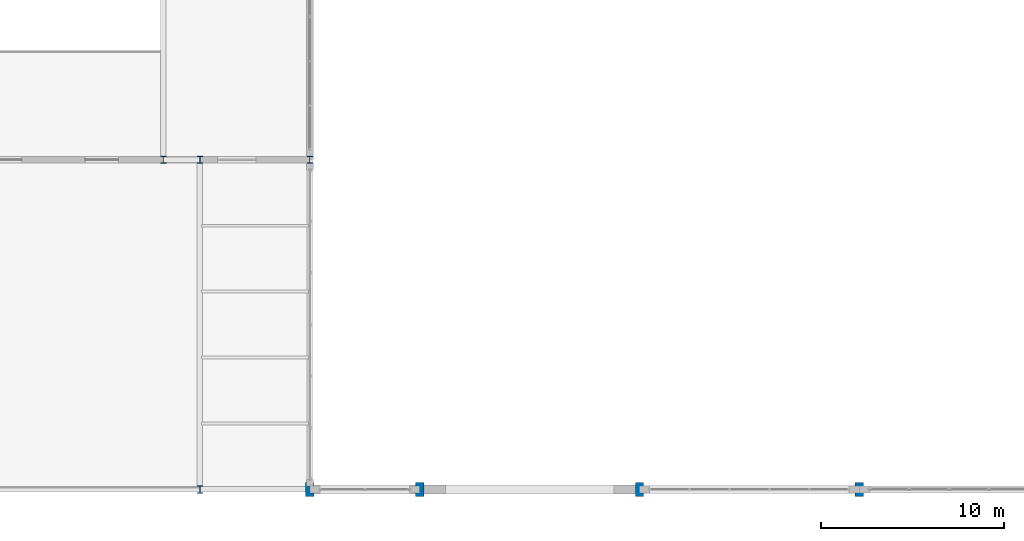
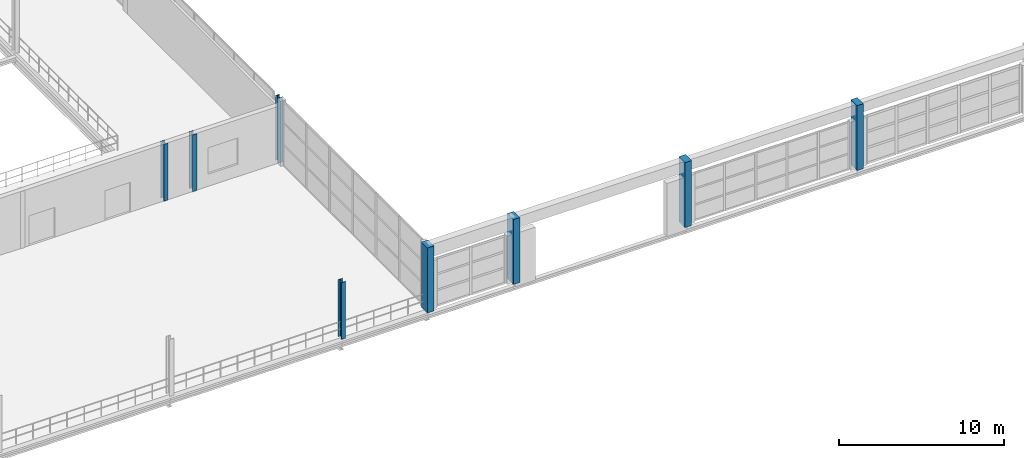
# One storey, part 4 of 147: 8 columns.
"""IFC4 building model written with IfcOpenShell, lengths in metres."""

from ifc_helpers import new_model, si_unit, direction, frame, origin, origin_2d, place, context, subcontext, project, spatial, rectangle, i_section, extrude, material, material_profile, profile_set, type_object, element, save


model = new_model("IFC4")

# Units and contexts
model_context = context("Model", 3, precision=1e-05, world=origin(), true_north=direction((0.0, 1.0)))
body_context = subcontext(model_context, "Body", "Model", "MODEL_VIEW")
ifc_project = project(units=[si_unit("LENGTHUNIT", "METRE"), si_unit("AREAUNIT", "SQUARE_METRE"), si_unit("VOLUMEUNIT", "CUBIC_METRE"), si_unit("PLANEANGLEUNIT", "RADIAN"), si_unit("MASSUNIT", "GRAM", prefix="KILO")], contexts=[model_context])

# Site, building, storey
site_placement = place(None, origin())
site = spatial("IfcSite", under=ifc_project, at=site_placement, CompositionType="ELEMENT")
building_placement = place(site_placement, origin())
building = spatial("IfcBuilding", under=site, at=building_placement, Name="Zilviju Railside Exhibition Hall", CompositionType="ELEMENT")
storey_placement = place(building_placement, frame((0.0, 0.0, 8.39990234375)))
storey = spatial("IfcBuildingStorey", under=building, at=storey_placement, Name="L03", CompositionType="ELEMENT", Elevation=8.39990234375)

# Columns
ifc_material_1 = material(Name="Steel S355J2", Category="steel")
ifc_material_profile_1 = material_profile(ifc_material_1, i_section(OverallWidth=0.300048828125, OverallDepth=0.360107421875, WebThickness=0.012451171875, FlangeThickness=0.0224609375, at=origin_2d()), Name="HEB 360")
ifc_profile_set_1 = profile_set([ifc_material_profile_1], Name="Steel S355J2")
column_type_1 = type_object("IfcColumnType", Name="COL-ST-HEB360", PredefinedType="COLUMN", material=ifc_profile_set_1)
column_placement = place(storey_placement, frame((78.0, 18.0, 0.0), z_axis=(0.0, 0.0, 1.0), x_axis=(1.0, 0.0, 0.0)))
element("IfcColumn", 1, at=column_placement, inside=storey, type_object=column_type_1, Name="Structural Column L03 (78.0, 18.0)", PredefinedType="COLUMN", context=body_context, shape_type="SweptSolid", body=[
    extrude(i_section(OverallWidth=0.300048828125, OverallDepth=0.360107421875, WebThickness=0.012451171875, FlangeThickness=0.0224609375, at=origin_2d()), origin(), (0.0, 0.0, 1.0), 4.800048828125),
])
ifc_material_profile_2 = material_profile(ifc_material_1, i_section(OverallWidth=0.300048828125, OverallDepth=0.39990234375, WebThickness=0.013427734375, FlangeThickness=0.02392578125, at=origin_2d()), Name="HEB 400")
ifc_profile_set_2 = profile_set([ifc_material_profile_2], Name="Steel S355J2")
column_type_2 = type_object("IfcColumnType", Name="COL-ST-HEB400", PredefinedType="COLUMN", material=ifc_profile_set_2)
for number, where, z_axis, x_axis, name in (
    (2, (72.0, 0.0, 0.0), (0.0, 0.0, 1.0), (1.0, 0.0, 0.0), "Structural Column L03 (72.0, 0.0)"),
    (3, (70.0, 18.0, 0.0), (0.0, 0.0, 1.0), (1.0, 0.0, 0.0), "Structural Column L03 (70.0, 18.0)"),
    (4, (72.0, 18.0, 0.0), (0.0, 0.0, 1.0), (1.0, 0.0, 0.0), "Structural Column L03 (72.0, 18.0)"),
):
    element("IfcColumn", number, at=place(storey_placement, frame(where, z_axis=z_axis, x_axis=x_axis)), inside=storey, type_object=column_type_2, Name=name, PredefinedType="COLUMN", context=body_context, shape_type="SweptSolid", body=[
        extrude(i_section(OverallWidth=0.300048828125, OverallDepth=0.39990234375, WebThickness=0.013427734375, FlangeThickness=0.02392578125, at=origin_2d()), origin(), (0.0, 0.0, 1.0), 4.2001953125),
    ])
ifc_material_2 = material(Name="Concrete C40/50", Category="concrete")
ifc_material_profile_3 = material_profile(ifc_material_2, rectangle(XDim=0.449951171875, YDim=0.75, at=origin_2d()), Name="RC COL 450x750")
ifc_profile_set_3 = profile_set([ifc_material_profile_3], Name="Concrete C40/50")
column_type_3 = type_object("IfcColumnType", Name="PIL-RC-750x450", PredefinedType="PILASTER", material=ifc_profile_set_3)
for number, where, z_axis, x_axis, name in (
    (5, (78.0, 0.0, 0.0), (0.0, 0.0, 1.0), (1.0, 0.0, 0.0), "Structural Column L03 (78.0, 0.0)"),
    (6, (84.0, 0.0, 0.0), (0.0, 0.0, 1.0), (1.0, 0.0, 0.0), "Structural Column L03 (84.0, 0.0)"),
    (7, (96.0, 0.0, 0.0), (0.0, 0.0, 1.0), (1.0, 0.0, 0.0), "Structural Column L03 (96.0, 0.0)"),
    (8, (108.0, 0.0, 0.0), (0.0, 0.0, 1.0), (1.0, 0.0, 0.0), "Structural Column L03 (108.0, 0.0)"),
):
    element("IfcColumn", number, at=place(storey_placement, frame(where, z_axis=z_axis, x_axis=x_axis)), inside=storey, type_object=column_type_3, Name=name, PredefinedType="PILASTER", context=body_context, shape_type="SweptSolid", body=[
        extrude(rectangle(XDim=0.449951171875, YDim=0.75, at=origin_2d()), origin(), (0.0, 0.0, 1.0), 4.800048828125),
    ])

save(model, "model.ifc")
